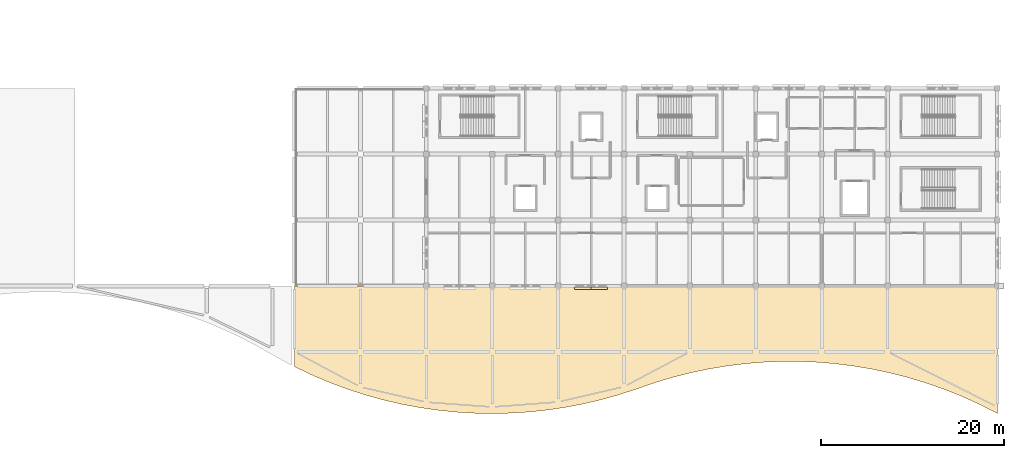
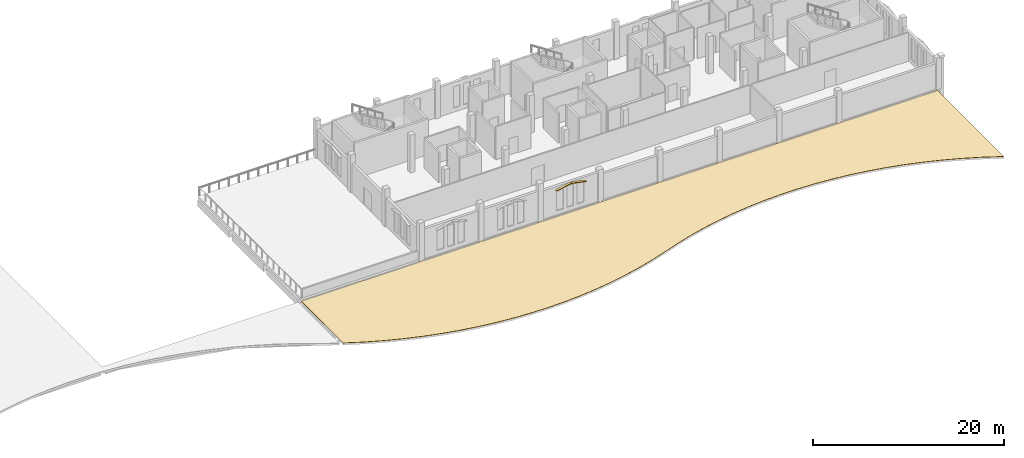
# One storey, part 18 of 23: 3 coverings.
"""IFC4 building model written with IfcOpenShell, lengths in metres."""

from ifc_helpers import new_model, si_unit, direction, frame, origin, place, context, subcontext, project, spatial, polyline, outline, extrude, material, layer, layer_set, type_object, element, save


model = new_model("IFC4")

# Units and contexts
model_context = context("Model", 3, precision=1e-05, world=origin(), true_north=direction((0.0, 1.0)))
body_context = subcontext(model_context, "Body", "Model", "MODEL_VIEW")
ifc_project = project(units=[si_unit("LENGTHUNIT", "METRE"), si_unit("AREAUNIT", "SQUARE_METRE"), si_unit("VOLUMEUNIT", "CUBIC_METRE"), si_unit("PLANEANGLEUNIT", "RADIAN"), si_unit("MASSUNIT", "GRAM", prefix="KILO")], contexts=[model_context])

# Site, building, storey
site_placement = place(None, origin())
site = spatial("IfcSite", under=ifc_project, at=site_placement, CompositionType="ELEMENT")
building_placement = place(site_placement, origin())
building = spatial("IfcBuilding", under=site, at=building_placement, Name="Cendralis Lancet Convention Centre", CompositionType="ELEMENT")
storey_placement = place(building_placement, frame((0.0, 0.0, 19.800048828125)))
storey = spatial("IfcBuildingStorey", under=building, at=storey_placement, Name="L04", CompositionType="ELEMENT", Elevation=19.800048828125)

# Coverings
ifc_material_1 = material(Name="Warm buff sandstone chevron cassette", Category="masonry")
ifc_layer_1 = layer(ifc_material_1, 0.06005859375, Name="Warm buff sandstone chevron cassette")
ifc_layer_set_1 = layer_set([ifc_layer_1], Name="Warm buff sandstone chevron cassette")
covering_type_1 = type_object("IfcCoveringType", Name="ARC-CV-CLAD1", PredefinedType="CLADDING", material=ifc_layer_set_1)
covering_1_placement = place(storey_placement, frame((166.199951171875, 13.989990234375, 3.27001953125), z_axis=(0.189234822853, 0.0, 0.981931862106), x_axis=(0.0, 1.0, 0.0)))
element("IfcCovering", 1, at=covering_1_placement, inside=storey, type_object=covering_type_1, Name="L04 Gothic Pointed Lancet Hood-Mould #0415L", PredefinedType="CLADDING", context=body_context, shape_type="SweptSolid", body=[
    extrude(outline(polyline([(0.0, 0.0), (0.284912109375, 0.0), (0.284912109375, 1.8229768597792009), (0.0, 1.8229768597792009), (0.0, 0.0)])), origin(), (0.0, 0.0, -1.0), 0.090087890625),
])
covering_2_placement = place(storey_placement, frame((164.389892578125, 13.989990234375, 3.614990234375), z_axis=(-0.189259711275, 0.0, 0.981927065361), x_axis=(0.0, 1.0, 0.0)))
element("IfcCovering", 2, at=covering_2_placement, inside=storey, type_object=covering_type_1, Name="L04 Gothic Pointed Lancet Hood-Mould #0416R", PredefinedType="CLADDING", context=body_context, shape_type="SweptSolid", body=[
    extrude(outline(polyline([(0.0, 0.0), (0.284912109375, 0.0), (0.284912109375, 1.8227371309061802), (0.0, 1.8227371309061802), (0.0, 0.0)])), origin(), (0.0, 0.0, -1.0), 0.090087890625),
])
ifc_material_2 = material(Name="Elastomeric waterproof roof membrane")
ifc_layer_2 = layer(ifc_material_2, 0.050048828125, Name="Elastomeric waterproof roof membrane")
ifc_layer_set_2 = layer_set([ifc_layer_2], Name="Elastomeric waterproof roof membrane")
covering_type_2 = type_object("IfcCoveringType", Name="ARC-CV-MEMB", PredefinedType="ROOFING", material=ifc_layer_set_2)
covering_3_placement = place(storey_placement, frame((0.0, 0.0, -0.35009765625)))
element("IfcCovering", 3, at=covering_3_placement, inside=storey, type_object=covering_type_2, Name="L04 Elastomeric Roof Membrane V5WAV", PredefinedType="ROOFING", context=body_context, shape_type="SweptSolid", body=[
    extrude(outline(polyline([(132.0, 5.56005859375), (133.968994140625, 4.6259765625), (135.93798828125, 3.798095703125), (137.907958984375, 3.071044921875), (139.876953125, 2.43896484375), (141.845947265625, 1.89892578125), (143.81494140625, 1.447998046875), (145.784912109375, 1.08203125), (147.75390625, 0.801025390625), (149.722900390625, 0.60302734375), (151.69189453125, 0.486083984375), (153.662109375, 0.449951171875), (155.631103515625, 0.4951171875), (157.60009765625, 0.62109375), (159.569091796875, 0.8291015625), (161.5380859375, 1.118896484375), (163.508056640625, 1.493896484375), (165.47705078125, 1.955078125), (167.446044921875, 2.5048828125), (169.4150390625, 3.14697265625), (171.385009765625, 3.825927734375), (173.35400390625, 4.416015625), (175.322998046875, 4.916015625), (177.2919921875, 5.327880859375), (179.261962890625, 5.655029296875), (181.23095703125, 5.89794921875), (183.199951171875, 6.06005859375), (185.1689453125, 6.139892578125), (187.137939453125, 6.139892578125), (189.10791015625, 6.05810546875), (191.076904296875, 5.89501953125), (193.0458984375, 5.64990234375), (195.014892578125, 5.322021484375), (196.985107421875, 4.907958984375), (198.9541015625, 4.407958984375), (200.923095703125, 3.81591796875), (202.89208984375, 3.131103515625), (204.862060546875, 2.347900390625), (206.8310546875, 1.4609375), (208.800048828125, 0.464111328125), (208.800048828125, 14.39990234375), (132.0, 14.39990234375), (132.0, 5.56005859375)])), origin(), (0.0, 0.0, 1.0), 0.0400390625),
])

save(model, "model.ifc")
